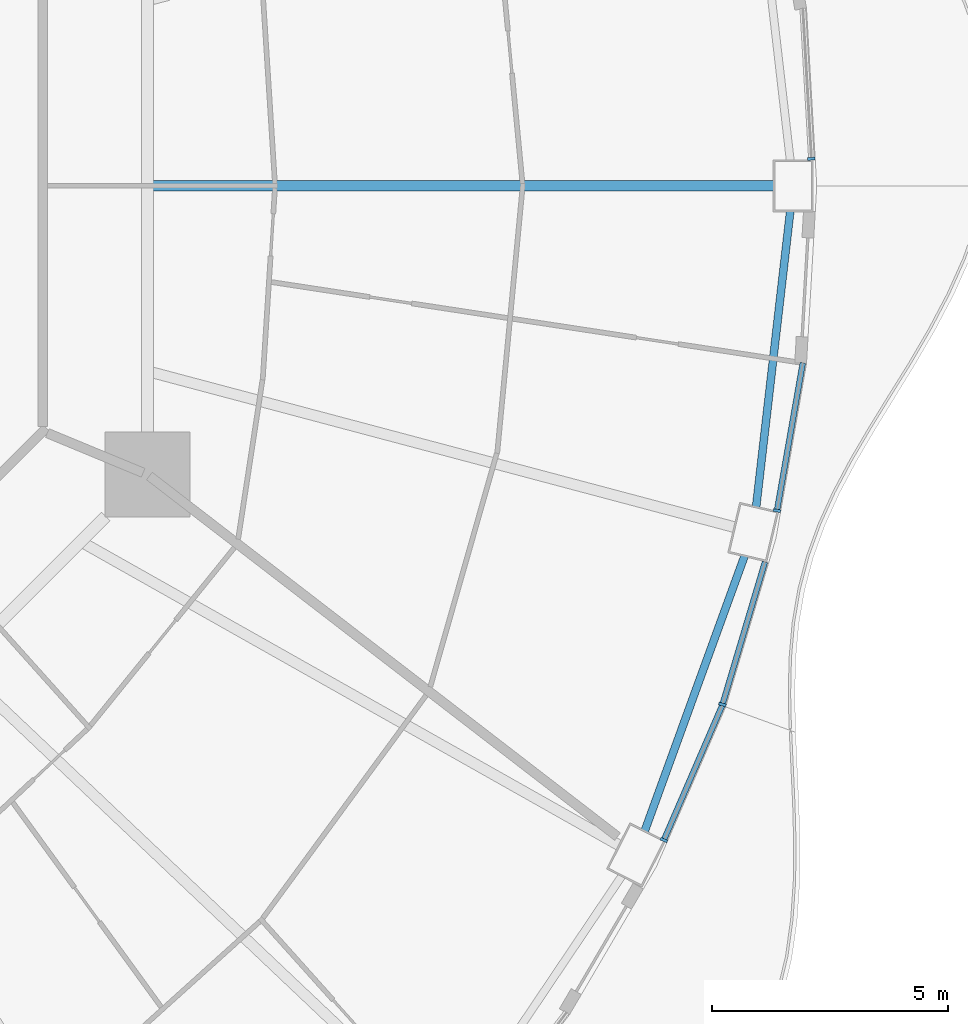
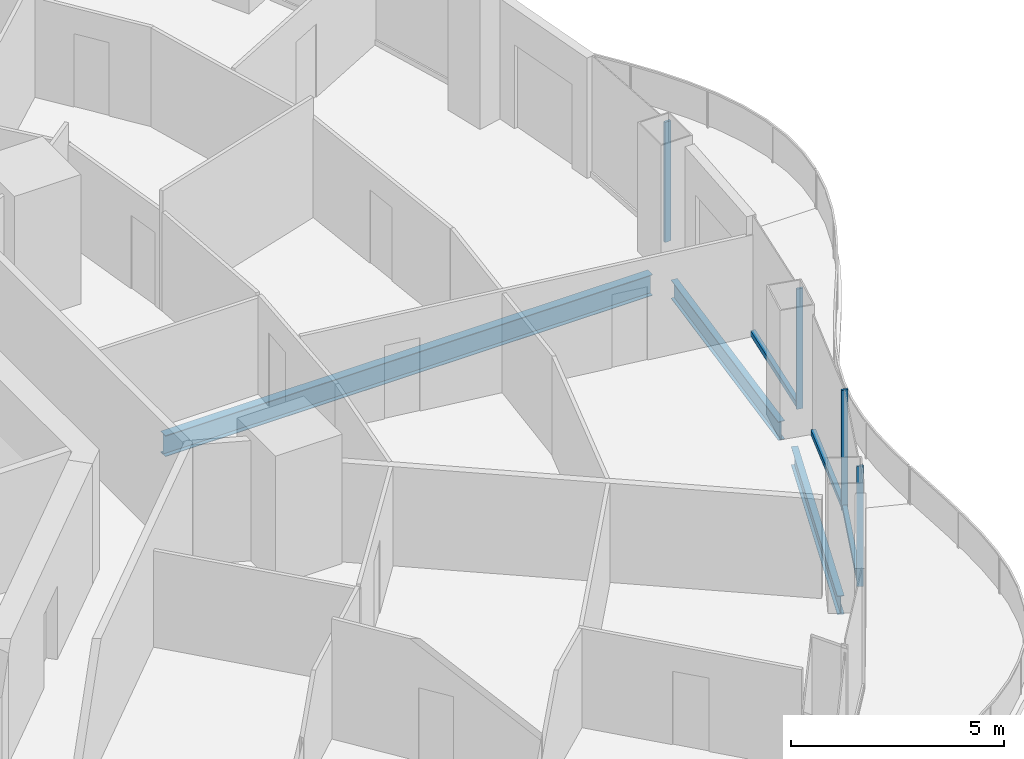
# One storey, part 5 of 19: 7 members, 3 beams, 4 elements without a shape of their own.
"""IFC4 building model written with IfcOpenShell, lengths in metres."""

from ifc_helpers import new_model, si_unit, direction, frame, origin, origin_2d, place, context, subcontext, project, spatial, rectangle, i_section, extrude, material, layer, layer_set, material_profile, profile_set, type_object, element, aggregate, save


model = new_model("IFC4")

# Units and contexts
model_context = context("Model", 3, precision=1e-05, world=origin(), true_north=direction((0.0, 1.0)))
body_context = subcontext(model_context, "Body", "Model", "MODEL_VIEW")
ifc_project = project(units=[si_unit("LENGTHUNIT", "METRE"), si_unit("AREAUNIT", "SQUARE_METRE"), si_unit("VOLUMEUNIT", "CUBIC_METRE"), si_unit("PLANEANGLEUNIT", "RADIAN"), si_unit("MASSUNIT", "GRAM", prefix="KILO")], contexts=[model_context])

# Site, building, storey
site_placement = place(None, origin())
site = spatial("IfcSite", under=ifc_project, at=site_placement, CompositionType="ELEMENT")
building_placement = place(site_placement, origin())
building = spatial("IfcBuilding", under=site, at=building_placement, Name="Nagisa Residences", CompositionType="ELEMENT")
storey_placement = place(building_placement, frame((0.0, 0.0, 184.39990234375)))
storey = spatial("IfcBuildingStorey", under=building, at=storey_placement, Name="L46", CompositionType="ELEMENT", Elevation=184.39990234375)

# Curtain wall, member
ifc_material_1 = material(Name="Concrete-coloured aluminium curtain wall system", Category="concrete")
ifc_layer = layer(ifc_material_1, 0.159912109375)
ifc_layer_set = layer_set([ifc_layer], Name="CW1 CURTAIN WALL")
curtain_wall_type = type_object("IfcCurtainWallType", Name="CW1 CURTAIN WALL", PredefinedType="NOTDEFINED", material=ifc_layer_set)
curtain_wall_1_placement = place(storey_placement, origin())
curtain_wall_1 = element("IfcCurtainWall", 1, at=curtain_wall_1_placement, inside=storey, type_object=curtain_wall_type, Name="cw:CW1:L46:00", PredefinedType="NOTDEFINED")
ifc_material_2 = material(Name="Concrete-coloured aluminium", Category="concrete")
ifc_material_profile_1 = material_profile(ifc_material_2, rectangle(XDim=0.159912109375, YDim=0.06005859375, at=origin_2d()), Name="CW1 MULLION 160x60")
ifc_profile_set_1 = profile_set([ifc_material_profile_1], Name="Concrete-coloured aluminium")
member_type_1 = type_object("IfcMemberType", Name="CW1 MULLION 160x60", PredefinedType="MULLION", material=ifc_profile_set_1)
member_1_placement = place(storey_placement, frame((28.86181640625, 0.574462890625, 0.0), z_axis=(0.0, 0.0, 1.0), x_axis=(-0.998345305184, -0.057503492216, 0.0)))
member_1 = element("IfcMember", 2, at=member_1_placement, type_object=member_type_1, Name="CW1 mullion", PredefinedType="MULLION", context=body_context, shape_type="SweptSolid", body=[
    extrude(rectangle(XDim=0.159912109375, YDim=0.06005859375, at=origin_2d()), origin(), (0.0, 0.0, 1.0), 3.440185546875),
])
aggregate(curtain_wall_1, [member_1])

curtain_wall_2_placement = place(storey_placement, origin())
curtain_wall_2 = element("IfcCurtainWall", 3, at=curtain_wall_2_placement, inside=storey, type_object=curtain_wall_type, Name="cw:CW1:L46:44", PredefinedType="NOTDEFINED")
member_2_placement = place(storey_placement, frame((25.732666015625, -13.87353515625, 0.0), z_axis=(0.0, 0.0, 1.0), x_axis=(-0.917543276295, 0.397635934147, 0.0)))
member_2 = element("IfcMember", 4, at=member_2_placement, type_object=member_type_1, Name="CW1 mullion", PredefinedType="MULLION", context=body_context, shape_type="SweptSolid", body=[
    extrude(rectangle(XDim=0.159912109375, YDim=0.06005859375, at=origin_2d()), origin(), (0.0, 0.0, 1.0), 3.440185546875),
])

curtain_wall_3_placement = place(storey_placement, origin())
curtain_wall_3 = element("IfcCurtainWall", 5, at=curtain_wall_3_placement, inside=storey, type_object=curtain_wall_type, Name="cw:CW1:L46:45", PredefinedType="NOTDEFINED")
member_3_placement = place(storey_placement, frame((26.975341796875, -10.998291015625, 0.0), z_axis=(0.0, 0.0, 1.0), x_axis=(-0.958271310082, 0.285860274038, 0.0)))
member_3 = element("IfcMember", 6, at=member_3_placement, type_object=member_type_1, Name="CW1 mullion", PredefinedType="MULLION", context=body_context, shape_type="SweptSolid", body=[
    extrude(rectangle(XDim=0.159912109375, YDim=0.06005859375, at=origin_2d()), origin(), (0.0, 0.0, 1.0), 3.440185546875),
])

curtain_wall_4_placement = place(storey_placement, origin())
curtain_wall_4 = element("IfcCurtainWall", 7, at=curtain_wall_4_placement, inside=storey, type_object=curtain_wall_type, Name="cw:CW1:L46:46", PredefinedType="NOTDEFINED")
member_4_placement = place(storey_placement, frame((28.13134765625, -6.88818359375, 0.0), z_axis=(0.0, 0.0, 1.0), x_axis=(-0.985063604377, 0.172190868898, 0.0)))
member_4 = element("IfcMember", 8, at=member_4_placement, type_object=member_type_1, Name="CW1 mullion", PredefinedType="MULLION", context=body_context, shape_type="SweptSolid", body=[
    extrude(rectangle(XDim=0.159912109375, YDim=0.06005859375, at=origin_2d()), origin(), (0.0, 0.0, 1.0), 3.440185546875),
])

# Member
ifc_material_3 = material(Name="Concrete-coloured aluminium", Category="concrete")
ifc_material_profile_2 = material_profile(ifc_material_3, rectangle(XDim=0.1201171875, YDim=0.14990234375, at=origin_2d()), Name="CW1 TRANSOM 120x150")
ifc_profile_set_2 = profile_set([ifc_material_profile_2], Name="Concrete-coloured aluminium")
member_type_2 = type_object("IfcMemberType", Name="CW1 TRANSOM 120x150", PredefinedType="USERDEFINED", material=ifc_profile_set_2)
member_5_placement = place(storey_placement, frame((25.720703125, -13.901123046875, 0.0751953125), z_axis=(0.397592173732, 0.917562239517, 0.0), x_axis=(-0.917562239517, 0.397592173732, 0.0)))
member_5 = element("IfcMember", 9, at=member_5_placement, type_object=member_type_2, Name="CW1 transom", ObjectType="TRANSOM", PredefinedType="USERDEFINED", context=body_context, shape_type="SweptSolid", body=[
    extrude(rectangle(XDim=0.1201171875, YDim=0.14990234375, at=origin_2d()), origin(), (0.0, 0.0, 1.0), 3.14208984375),
])

aggregate(curtain_wall_2, [member_2, member_5])

member_6_placement = place(storey_placement, frame((26.966796875, -11.027099609375, 0.0751953125), z_axis=(0.28584838049, 0.958274857946, 0.0), x_axis=(-0.958274857946, 0.28584838049, 0.0)))
member_6 = element("IfcMember", 10, at=member_6_placement, type_object=member_type_2, Name="CW1 transom", ObjectType="TRANSOM", PredefinedType="USERDEFINED", context=body_context, shape_type="SweptSolid", body=[
    extrude(rectangle(XDim=0.1201171875, YDim=0.14990234375, at=origin_2d()), origin(), (0.0, 0.0, 1.0), 3.182373046875),
])

aggregate(curtain_wall_3, [member_3, member_6])

member_7_placement = place(storey_placement, frame((28.126220703125, -6.917724609375, 0.0751953125), z_axis=(0.172236453102, 0.98505563509, 0.0), x_axis=(-0.98505563509, 0.172236453102, 0.0)))
member_7 = element("IfcMember", 11, at=member_7_placement, type_object=member_type_2, Name="CW1 transom", ObjectType="TRANSOM", PredefinedType="USERDEFINED", context=body_context, shape_type="SweptSolid", body=[
    extrude(rectangle(XDim=0.1201171875, YDim=0.14990234375, at=origin_2d()), origin(), (0.0, 0.0, 1.0), 3.210693359375),
])

aggregate(curtain_wall_4, [member_4, member_7])

# Beams
ifc_material_4 = material(Name="Steel ASTM A572 Gr 50", Category="steel")
ifc_material_profile_3 = material_profile(ifc_material_4, i_section(OverallWidth=0.166015625, OverallDepth=0.534912109375, WebThickness=0.01025390625, FlangeThickness=0.0166015625, at=origin_2d()), Name="W530x85")
ifc_profile_set_3 = profile_set([ifc_material_profile_3], Name="Steel ASTM A572 Gr 50")
beam_type_1 = type_object("IfcBeamType", Name="Perimeter ring beam W530x85", PredefinedType="BEAM", material=ifc_profile_set_3)
beam_1_placement = place(storey_placement, frame((25.32470703125, -13.685546875, -0.52734375), z_axis=(0.341320243926, 0.939947068237, 0.0), x_axis=(-0.939947068237, 0.341320243926, 0.0)))
element("IfcBeam", 12, at=beam_1_placement, inside=storey, type_object=beam_type_1, Name="beam:L46:pb23", PredefinedType="BEAM", context=body_context, shape_type="SweptSolid", body=[
    extrude(i_section(OverallWidth=0.166015625, OverallDepth=0.534912109375, WebThickness=0.01025390625, FlangeThickness=0.0166015625, at=origin_2d()), origin(), (0.0, 0.0, 1.0), 6.212890625),
])
beam_2_placement = place(storey_placement, frame((27.688720703125, -6.813720703125, -0.52734375), z_axis=(0.11463289794, 0.993407921606, 0.0), x_axis=(-0.993407921606, 0.11463289794, 0.0)))
element("IfcBeam", 13, at=beam_2_placement, inside=storey, type_object=beam_type_1, Name="beam:L46:pb24", PredefinedType="BEAM", context=body_context, shape_type="SweptSolid", body=[
    extrude(i_section(OverallWidth=0.166015625, OverallDepth=0.534912109375, WebThickness=0.01025390625, FlangeThickness=0.0166015625, at=origin_2d()), origin(), (0.0, 0.0, 1.0), 6.325439453125),
])
ifc_material_5 = material(Name="Steel ASTM A572 Gr 50", Category="steel")
ifc_material_profile_4 = material_profile(ifc_material_5, i_section(OverallWidth=0.22802734375, OverallDepth=0.60302734375, WebThickness=0.010498046875, FlangeThickness=0.014892578125, at=origin_2d()), Name="W610x101")
ifc_profile_set_4 = profile_set([ifc_material_profile_4], Name="Steel ASTM A572 Gr 50")
beam_type_2 = type_object("IfcBeamType", Name="Radial beam W610x101", PredefinedType="BEAM", material=ifc_profile_set_4)
beam_3_placement = place(storey_placement, frame((28.070068359375, 0.0, -0.5615234375), z_axis=(-1.0, 0.0, 0.0), x_axis=(0.0, -1.0, 0.0)))
element("IfcBeam", 14, at=beam_3_placement, inside=storey, type_object=beam_type_2, Name="beam:L46:rb01", PredefinedType="BEAM", context=body_context, shape_type="SweptSolid", body=[
    extrude(i_section(OverallWidth=0.22802734375, OverallDepth=0.60302734375, WebThickness=0.010498046875, FlangeThickness=0.014892578125, at=origin_2d()), origin(), (0.0, 0.0, 1.0), 13.180908203125),
])

save(model, "model.ifc")
